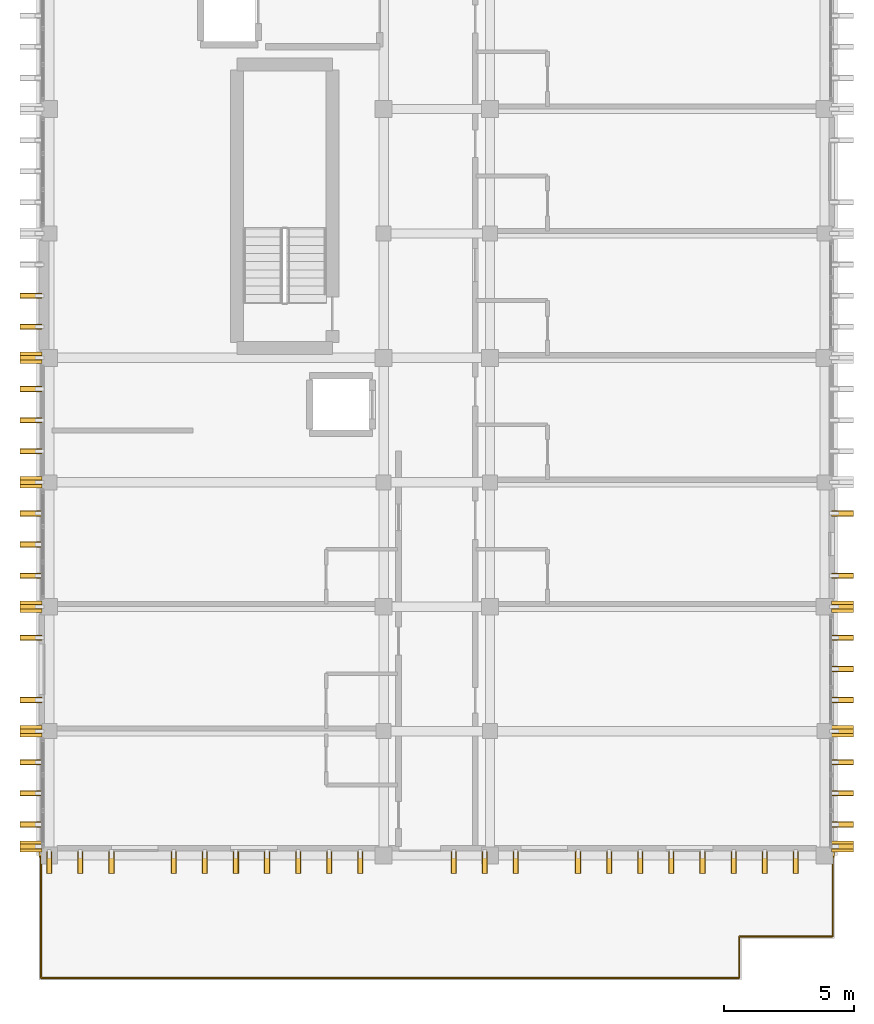
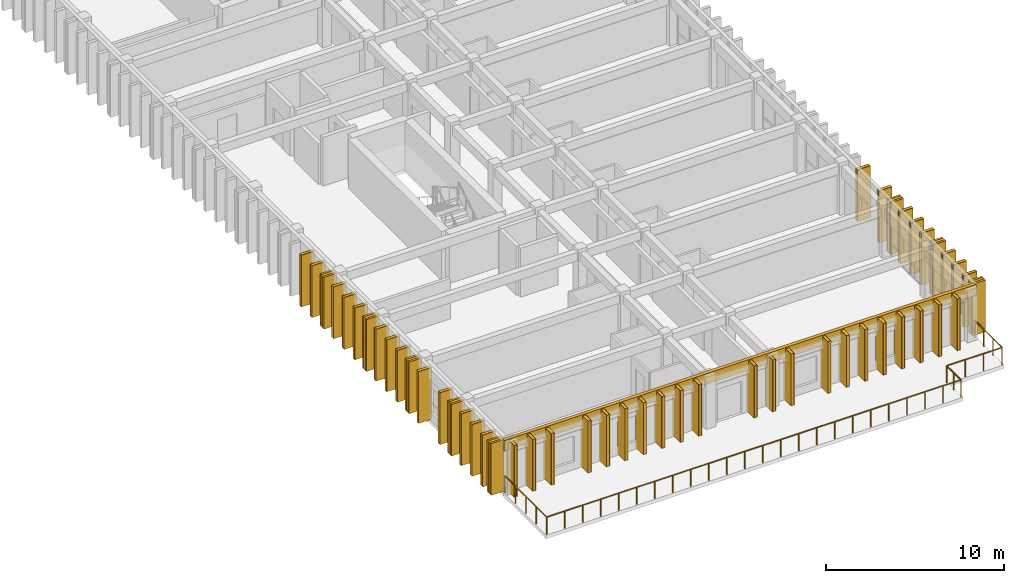
# One storey, part 45 of 49: 51 coverings, 50 shading devices, 1 railing.
"""IFC4 building model written with IfcOpenShell, lengths in metres."""

from ifc_helpers import new_model, si_unit, direction, frame, origin, origin_2d, place, context, subcontext, project, spatial, rectangle, circle, extrude, material, layer, layer_set, type_object, element, save


model = new_model("IFC4")

# Units and contexts
model_context = context("Model", 3, precision=1e-05, world=origin(), true_north=direction((0.0, 1.0)))
body_context = subcontext(model_context, "Body", "Model", "MODEL_VIEW")
ifc_project = project(units=[si_unit("LENGTHUNIT", "METRE"), si_unit("AREAUNIT", "SQUARE_METRE"), si_unit("VOLUMEUNIT", "CUBIC_METRE"), si_unit("PLANEANGLEUNIT", "RADIAN"), si_unit("MASSUNIT", "GRAM", prefix="KILO")], contexts=[model_context])

# Site, building, storey
site_placement = place(None, origin())
site = spatial("IfcSite", under=ifc_project, at=site_placement, CompositionType="ELEMENT")
building_placement = place(site_placement, origin())
building = spatial("IfcBuilding", under=site, at=building_placement, Name="Nakhvara Creek Congress Hotel", CompositionType="ELEMENT")
storey_placement = place(building_placement, frame((0.0, 0.0, 39.0)))
storey = spatial("IfcBuildingStorey", under=building, at=storey_placement, Name="L09", CompositionType="ELEMENT", Elevation=39.0)

# Coverings
ifc_material_1 = material(Name="Honed pale Omani limestone architectural cladding", Category="masonry")
ifc_layer_1 = layer(ifc_material_1, 0.219970703125)
ifc_layer_set_1 = layer_set([ifc_layer_1], Name="Honed pale Omani limestone architectural cladding")
covering_type_1 = type_object("IfcCoveringType", Name="COV-FIN-850", PredefinedType="CLADDING", material=ifc_layer_set_1)
for number, where, z_axis, x_axis, name in (
    (1, (180.054931640625, 57.949951171875, 0.0), (0.0, 0.0, 1.0), (0.0, 1.0, 0.0), "Pale Limestone Fin Cladding CF01-2137"),
    (2, (148.7451171875, 57.949951171875, 0.0), (0.0, 0.0, 1.0), (0.0, 1.0, 0.0), "Pale Limestone Fin Cladding CF01-2138"),
):
    element("IfcCovering", number, at=place(storey_placement, frame(where, z_axis=z_axis, x_axis=x_axis)), inside=storey, type_object=covering_type_1, Name=name, PredefinedType="CLADDING", context=body_context, shape_type="SweptSolid", body=[
        extrude(rectangle(XDim=0.43994140625, YDim=0.85009765625, at=origin_2d()), origin(), (0.0, 0.0, 1.0), 3.56005859375),
    ])
for number, where, z_axis, x_axis, name in (
    (3, (180.054931640625, 58.800048828125, 0.0), (0.0, 0.0, 1.0), (0.0, 1.0, 0.0), "Pale Limestone Fin Cladding CF01-2139"),
    (4, (148.7451171875, 58.800048828125, 0.0), (0.0, 0.0, 1.0), (0.0, 1.0, 0.0), "Pale Limestone Fin Cladding CF01-2140"),
    (5, (180.054931640625, 60.0, 0.0), (0.0, 0.0, 1.0), (0.0, 1.0, 0.0), "Pale Limestone Fin Cladding CF01-2141"),
    (6, (148.7451171875, 60.0, 0.0), (0.0, 0.0, 1.0), (0.0, 1.0, 0.0), "Pale Limestone Fin Cladding CF01-2142"),
    (7, (180.054931640625, 61.199951171875, 0.0), (0.0, 0.0, 1.0), (0.0, 1.0, 0.0), "Pale Limestone Fin Cladding CF01-2143"),
    (8, (148.7451171875, 61.199951171875, 0.0), (0.0, 0.0, 1.0), (0.0, 1.0, 0.0), "Pale Limestone Fin Cladding CF01-2144"),
):
    element("IfcCovering", number, at=place(storey_placement, frame(where, z_axis=z_axis, x_axis=x_axis)), inside=storey, type_object=covering_type_1, Name=name, PredefinedType="CLADDING", context=body_context, shape_type="SweptSolid", body=[
        extrude(rectangle(XDim=0.219970703125, YDim=0.85009765625, at=origin_2d()), origin(), (0.0, 0.0, 1.0), 3.56005859375),
    ])
for number, where, z_axis, x_axis, name in (
    (9, (180.054931640625, 62.39990234375, 0.0), (0.0, 0.0, 1.0), (0.0, 1.0, 0.0), "Pale Limestone Fin Cladding CF01-2145"),
    (10, (148.7451171875, 62.39990234375, 0.0), (0.0, 0.0, 1.0), (0.0, 1.0, 0.0), "Pale Limestone Fin Cladding CF01-2146"),
):
    element("IfcCovering", number, at=place(storey_placement, frame(where, z_axis=z_axis, x_axis=x_axis)), inside=storey, type_object=covering_type_1, Name=name, PredefinedType="CLADDING", context=body_context, shape_type="SweptSolid", body=[
        extrude(rectangle(XDim=0.43994140625, YDim=0.85009765625, at=origin_2d()), origin(), (0.0, 0.0, 1.0), 3.56005859375),
    ])
for number, where, z_axis, x_axis, name in (
    (11, (180.054931640625, 63.60009765625, 0.0), (0.0, 0.0, 1.0), (0.0, 1.0, 0.0), "Pale Limestone Fin Cladding CF01-2147"),
    (12, (148.7451171875, 63.60009765625, 0.0), (0.0, 0.0, 1.0), (0.0, 1.0, 0.0), "Pale Limestone Fin Cladding CF01-2148"),
    (13, (180.054931640625, 64.800048828125, 0.0), (0.0, 0.0, 1.0), (0.0, 1.0, 0.0), "Pale Limestone Fin Cladding CF01-2149"),
    (14, (180.054931640625, 66.0, 0.0), (0.0, 0.0, 1.0), (0.0, 1.0, 0.0), "Pale Limestone Fin Cladding CF01-2150"),
    (15, (148.7451171875, 66.0, 0.0), (0.0, 0.0, 1.0), (0.0, 1.0, 0.0), "Pale Limestone Fin Cladding CF01-2151"),
):
    element("IfcCovering", number, at=place(storey_placement, frame(where, z_axis=z_axis, x_axis=x_axis)), inside=storey, type_object=covering_type_1, Name=name, PredefinedType="CLADDING", context=body_context, shape_type="SweptSolid", body=[
        extrude(rectangle(XDim=0.219970703125, YDim=0.85009765625, at=origin_2d()), origin(), (0.0, 0.0, 1.0), 3.56005859375),
    ])
for number, where, z_axis, x_axis, name in (
    (16, (180.054931640625, 67.199951171875, 0.0), (0.0, 0.0, 1.0), (0.0, 1.0, 0.0), "Pale Limestone Fin Cladding CF01-2152"),
    (17, (148.7451171875, 67.199951171875, 0.0), (0.0, 0.0, 1.0), (0.0, 1.0, 0.0), "Pale Limestone Fin Cladding CF01-2153"),
):
    element("IfcCovering", number, at=place(storey_placement, frame(where, z_axis=z_axis, x_axis=x_axis)), inside=storey, type_object=covering_type_1, Name=name, PredefinedType="CLADDING", context=body_context, shape_type="SweptSolid", body=[
        extrude(rectangle(XDim=0.43994140625, YDim=0.85009765625, at=origin_2d()), origin(), (0.0, 0.0, 1.0), 3.56005859375),
    ])
for number, where, z_axis, x_axis, name in (
    (18, (180.054931640625, 68.39990234375, 0.0), (0.0, 0.0, 1.0), (0.0, 1.0, 0.0), "Pale Limestone Fin Cladding CF01-2154"),
    (19, (148.7451171875, 68.39990234375, 0.0), (0.0, 0.0, 1.0), (0.0, 1.0, 0.0), "Pale Limestone Fin Cladding CF01-2155"),
    (20, (148.7451171875, 69.60009765625, 0.0), (0.0, 0.0, 1.0), (0.0, 1.0, 0.0), "Pale Limestone Fin Cladding CF01-2156"),
    (21, (180.054931640625, 70.800048828125, 0.0), (0.0, 0.0, 1.0), (0.0, 1.0, 0.0), "Pale Limestone Fin Cladding CF01-2157"),
    (22, (148.7451171875, 70.800048828125, 0.0), (0.0, 0.0, 1.0), (0.0, 1.0, 0.0), "Pale Limestone Fin Cladding CF01-2158"),
):
    element("IfcCovering", number, at=place(storey_placement, frame(where, z_axis=z_axis, x_axis=x_axis)), inside=storey, type_object=covering_type_1, Name=name, PredefinedType="CLADDING", context=body_context, shape_type="SweptSolid", body=[
        extrude(rectangle(XDim=0.219970703125, YDim=0.85009765625, at=origin_2d()), origin(), (0.0, 0.0, 1.0), 3.56005859375),
    ])
covering_1_placement = place(storey_placement, frame((148.7451171875, 72.0, 0.0), z_axis=(0.0, 0.0, 1.0), x_axis=(0.0, 1.0, 0.0)))
element("IfcCovering", 23, at=covering_1_placement, inside=storey, type_object=covering_type_1, Name="Pale Limestone Fin Cladding CF01-2160", PredefinedType="CLADDING", context=body_context, shape_type="SweptSolid", body=[
    extrude(rectangle(XDim=0.43994140625, YDim=0.85009765625, at=origin_2d()), origin(), (0.0, 0.0, 1.0), 3.56005859375),
])
for number, where, z_axis, x_axis, name in (
    (24, (148.7451171875, 73.199951171875, 0.0), (0.0, 0.0, 1.0), (0.0, 1.0, 0.0), "Pale Limestone Fin Cladding CF01-2162"),
    (25, (148.7451171875, 74.39990234375, 0.0), (0.0, 0.0, 1.0), (0.0, 1.0, 0.0), "Pale Limestone Fin Cladding CF01-2164"),
    (26, (148.7451171875, 75.60009765625, 0.0), (0.0, 0.0, 1.0), (0.0, 1.0, 0.0), "Pale Limestone Fin Cladding CF01-2166"),
):
    element("IfcCovering", number, at=place(storey_placement, frame(where, z_axis=z_axis, x_axis=x_axis)), inside=storey, type_object=covering_type_1, Name=name, PredefinedType="CLADDING", context=body_context, shape_type="SweptSolid", body=[
        extrude(rectangle(XDim=0.219970703125, YDim=0.85009765625, at=origin_2d()), origin(), (0.0, 0.0, 1.0), 3.56005859375),
    ])
covering_2_placement = place(storey_placement, frame((148.7451171875, 76.800048828125, 0.0), z_axis=(0.0, 0.0, 1.0), x_axis=(0.0, 1.0, 0.0)))
element("IfcCovering", 27, at=covering_2_placement, inside=storey, type_object=covering_type_1, Name="Pale Limestone Fin Cladding CF01-2168", PredefinedType="CLADDING", context=body_context, shape_type="SweptSolid", body=[
    extrude(rectangle(XDim=0.43994140625, YDim=0.85009765625, at=origin_2d()), origin(), (0.0, 0.0, 1.0), 3.56005859375),
])
for number, where, z_axis, x_axis, name in (
    (28, (148.7451171875, 78.0, 0.0), (0.0, 0.0, 1.0), (0.0, 1.0, 0.0), "Pale Limestone Fin Cladding CF01-2170"),
    (29, (148.7451171875, 79.199951171875, 0.0), (0.0, 0.0, 1.0), (0.0, 1.0, 0.0), "Pale Limestone Fin Cladding CF01-2172"),
    (30, (149.449951171875, 57.3349609375, 0.0), (0.0, 0.0, 1.0), (1.0, 0.0, 0.0), "Pale Limestone Fin Cladding CF01-2249"),
    (31, (150.64990234375, 57.3349609375, 0.0), (0.0, 0.0, 1.0), (1.0, 0.0, 0.0), "Pale Limestone Fin Cladding CF01-2251"),
    (32, (151.85009765625, 57.3349609375, 0.0), (0.0, 0.0, 1.0), (1.0, 0.0, 0.0), "Pale Limestone Fin Cladding CF01-2253"),
    (33, (154.25, 57.3349609375, 0.0), (0.0, 0.0, 1.0), (1.0, 0.0, 0.0), "Pale Limestone Fin Cladding CF01-2255"),
    (34, (155.449951171875, 57.3349609375, 0.0), (0.0, 0.0, 1.0), (1.0, 0.0, 0.0), "Pale Limestone Fin Cladding CF01-2257"),
    (35, (156.64990234375, 57.3349609375, 0.0), (0.0, 0.0, 1.0), (1.0, 0.0, 0.0), "Pale Limestone Fin Cladding CF01-2259"),
    (36, (157.85009765625, 57.3349609375, 0.0), (0.0, 0.0, 1.0), (1.0, 0.0, 0.0), "Pale Limestone Fin Cladding CF01-2261"),
    (37, (159.050048828125, 57.3349609375, 0.0), (0.0, 0.0, 1.0), (1.0, 0.0, 0.0), "Pale Limestone Fin Cladding CF01-2263"),
    (38, (160.25, 57.3349609375, 0.0), (0.0, 0.0, 1.0), (1.0, 0.0, 0.0), "Pale Limestone Fin Cladding CF01-2265"),
    (39, (161.449951171875, 57.3349609375, 0.0), (0.0, 0.0, 1.0), (1.0, 0.0, 0.0), "Pale Limestone Fin Cladding CF01-2267"),
    (40, (165.050048828125, 57.3349609375, 0.0), (0.0, 0.0, 1.0), (1.0, 0.0, 0.0), "Pale Limestone Fin Cladding CF01-2271"),
    (41, (166.25, 57.3349609375, 0.0), (0.0, 0.0, 1.0), (1.0, 0.0, 0.0), "Pale Limestone Fin Cladding CF01-2273"),
    (42, (167.449951171875, 57.3349609375, 0.0), (0.0, 0.0, 1.0), (1.0, 0.0, 0.0), "Pale Limestone Fin Cladding CF01-2275"),
    (43, (169.85009765625, 57.3349609375, 0.0), (0.0, 0.0, 1.0), (1.0, 0.0, 0.0), "Pale Limestone Fin Cladding CF01-2278"),
    (44, (171.050048828125, 57.3349609375, 0.0), (0.0, 0.0, 1.0), (1.0, 0.0, 0.0), "Pale Limestone Fin Cladding CF01-2280"),
    (45, (172.25, 57.3349609375, 0.0), (0.0, 0.0, 1.0), (1.0, 0.0, 0.0), "Pale Limestone Fin Cladding CF01-2282"),
    (46, (173.449951171875, 57.3349609375, 0.0), (0.0, 0.0, 1.0), (1.0, 0.0, 0.0), "Pale Limestone Fin Cladding CF01-2284"),
    (47, (174.64990234375, 57.3349609375, 0.0), (0.0, 0.0, 1.0), (1.0, 0.0, 0.0), "Pale Limestone Fin Cladding CF01-2286"),
    (48, (175.85009765625, 57.3349609375, 0.0), (0.0, 0.0, 1.0), (1.0, 0.0, 0.0), "Pale Limestone Fin Cladding CF01-2287"),
    (49, (177.050048828125, 57.3349609375, 0.0), (0.0, 0.0, 1.0), (1.0, 0.0, 0.0), "Pale Limestone Fin Cladding CF01-2289"),
    (50, (178.25, 57.3349609375, 0.0), (0.0, 0.0, 1.0), (1.0, 0.0, 0.0), "Pale Limestone Fin Cladding CF01-2291"),
):
    element("IfcCovering", number, at=place(storey_placement, frame(where, z_axis=z_axis, x_axis=x_axis)), inside=storey, type_object=covering_type_1, Name=name, PredefinedType="CLADDING", context=body_context, shape_type="SweptSolid", body=[
        extrude(rectangle(XDim=0.219970703125, YDim=0.85009765625, at=origin_2d()), origin(), (0.0, 0.0, 1.0), 3.56005859375),
    ])
ifc_layer_2 = layer(ifc_material_1, 0.179931640625)
ifc_layer_set_2 = layer_set([ifc_layer_2], Name="Honed pale Omani limestone architectural cladding")
covering_type_2 = type_object("IfcCoveringType", Name="COV-SPN-180", PredefinedType="CLADDING", material=ifc_layer_set_2)
covering_3_placement = place(storey_placement, frame((164.39990234375, 57.6298828125, 2.909912109375), z_axis=(0.0, 0.0, 1.0), x_axis=(1.0, 0.0, 0.0)))
element("IfcCovering", 51, at=covering_3_placement, inside=storey, type_object=covering_type_2, Name="Pale Limestone Spandrel Band CF02-0080", PredefinedType="CLADDING", context=body_context, shape_type="SweptSolid", body=[
    extrude(rectangle(XDim=30.699951171875, YDim=0.219970703125, at=origin_2d()), origin(), (0.0, 0.0, 1.0), 0.72998046875),
])

# Railing
ifc_material_2 = material(Name="Bronze-anodised aluminium and laminated safety glass balustrade", Category="aluminium")
railing_type = type_object("IfcRailingType", Name="RL-BALUS-1200", PredefinedType="BALUSTRADE", material=ifc_material_2)
railing_placement = place(storey_placement, frame((149.1298828125, 57.56005859375, 0.0)))
element("IfcRailing", 52, at=railing_placement, inside=storey, type_object=railing_type, Name="Terrace Balustrade GR02-L09-007", PredefinedType="BALUSTRADE", context=body_context, shape_type="SweptSolid", body=[
    extrude(circle(Radius=0.02392578125, at=origin_2d()), frame((0.0, -0.0146484375, 1.17578125), z_axis=(0.0, -1.0, 0.0), x_axis=(1.0, 0.0, 0.0)), (0.0, 0.0, 1.0), 4.65087890625),
    extrude(circle(Radius=0.02392578125, at=origin_2d()), frame((0.0146484375, -4.68017578125, 1.17578125), z_axis=(1.0, 0.0, 0.0), x_axis=(0.0, 1.0, 0.0)), (0.0, 0.0, 1.0), 26.910888671875),
    extrude(circle(Radius=0.02392578125, at=origin_2d()), frame((26.940185546875, -4.66552734375, 1.17578125), z_axis=(0.0, 1.0, 0.0), x_axis=(-1.0, 0.0, 0.0)), (0.0, 0.0, 1.0), 1.57080078125),
    extrude(circle(Radius=0.02392578125, at=origin_2d()), frame((26.954833984375, -3.080078125, 1.17578125), z_axis=(1.0, 0.0, 0.0), x_axis=(0.0, 1.0, 0.0)), (0.0, 0.0, 1.0), 3.570556640625),
    extrude(circle(Radius=0.02392578125, at=origin_2d()), frame((30.5400390625, -3.0654296875, 1.17578125), z_axis=(0.0, 1.0, 0.0), x_axis=(-1.0, 0.0, 0.0)), (0.0, 0.0, 1.0), 3.05078125),
    extrude(circle(Radius=0.02099609375, at=origin_2d()), origin(), (0.0, 0.0, 1.0), 1.1806640625),
    extrude(circle(Radius=0.02099609375, at=origin_2d()), frame((0.0, -1.169921875, 0.0)), (0.0, 0.0, 1.0), 1.1806640625),
    extrude(circle(Radius=0.02099609375, at=origin_2d()), frame((0.0, -2.340087890625, 0.0)), (0.0, 0.0, 1.0), 1.1806640625),
    extrude(circle(Radius=0.02099609375, at=origin_2d()), frame((0.0, -3.51025390625, 0.0)), (0.0, 0.0, 1.0), 1.1806640625),
    extrude(circle(Radius=0.02099609375, at=origin_2d()), frame((0.0, -4.68017578125, 0.0)), (0.0, 0.0, 1.0), 1.1806640625),
    extrude(circle(Radius=0.02099609375, at=origin_2d()), frame((1.17138671875, -4.68017578125, 0.0)), (0.0, 0.0, 1.0), 1.1806640625),
    extrude(circle(Radius=0.02099609375, at=origin_2d()), frame((2.342529296875, -4.68017578125, 0.0)), (0.0, 0.0, 1.0), 1.1806640625),
    extrude(circle(Radius=0.02099609375, at=origin_2d()), frame((3.513916015625, -4.68017578125, 0.0)), (0.0, 0.0, 1.0), 1.1806640625),
    extrude(circle(Radius=0.02099609375, at=origin_2d()), frame((4.685302734375, -4.68017578125, 0.0)), (0.0, 0.0, 1.0), 1.1806640625),
    extrude(circle(Radius=0.02099609375, at=origin_2d()), frame((5.8564453125, -4.68017578125, 0.0)), (0.0, 0.0, 1.0), 1.1806640625),
    extrude(circle(Radius=0.02099609375, at=origin_2d()), frame((7.02783203125, -4.68017578125, 0.0)), (0.0, 0.0, 1.0), 1.1806640625),
    extrude(circle(Radius=0.02099609375, at=origin_2d()), frame((8.19921875, -4.68017578125, 0.0)), (0.0, 0.0, 1.0), 1.1806640625),
    extrude(circle(Radius=0.02099609375, at=origin_2d()), frame((9.37060546875, -4.68017578125, 0.0)), (0.0, 0.0, 1.0), 1.1806640625),
    extrude(circle(Radius=0.02099609375, at=origin_2d()), frame((10.541748046875, -4.68017578125, 0.0)), (0.0, 0.0, 1.0), 1.1806640625),
    extrude(circle(Radius=0.02099609375, at=origin_2d()), frame((11.713134765625, -4.68017578125, 0.0)), (0.0, 0.0, 1.0), 1.1806640625),
    extrude(circle(Radius=0.02099609375, at=origin_2d()), frame((12.884521484375, -4.68017578125, 0.0)), (0.0, 0.0, 1.0), 1.1806640625),
    extrude(circle(Radius=0.02099609375, at=origin_2d()), frame((14.0556640625, -4.68017578125, 0.0)), (0.0, 0.0, 1.0), 1.1806640625),
    extrude(circle(Radius=0.02099609375, at=origin_2d()), frame((15.22705078125, -4.68017578125, 0.0)), (0.0, 0.0, 1.0), 1.1806640625),
    extrude(circle(Radius=0.02099609375, at=origin_2d()), frame((16.3984375, -4.68017578125, 0.0)), (0.0, 0.0, 1.0), 1.1806640625),
    extrude(circle(Radius=0.02099609375, at=origin_2d()), frame((17.569580078125, -4.68017578125, 0.0)), (0.0, 0.0, 1.0), 1.1806640625),
    extrude(circle(Radius=0.02099609375, at=origin_2d()), frame((18.740966796875, -4.68017578125, 0.0)), (0.0, 0.0, 1.0), 1.1806640625),
    extrude(circle(Radius=0.02099609375, at=origin_2d()), frame((19.912353515625, -4.68017578125, 0.0)), (0.0, 0.0, 1.0), 1.1806640625),
    extrude(circle(Radius=0.02099609375, at=origin_2d()), frame((21.083740234375, -4.68017578125, 0.0)), (0.0, 0.0, 1.0), 1.1806640625),
    extrude(circle(Radius=0.02099609375, at=origin_2d()), frame((22.2548828125, -4.68017578125, 0.0)), (0.0, 0.0, 1.0), 1.1806640625),
    extrude(circle(Radius=0.02099609375, at=origin_2d()), frame((23.42626953125, -4.68017578125, 0.0)), (0.0, 0.0, 1.0), 1.1806640625),
    extrude(circle(Radius=0.02099609375, at=origin_2d()), frame((24.59765625, -4.68017578125, 0.0)), (0.0, 0.0, 1.0), 1.1806640625),
    extrude(circle(Radius=0.02099609375, at=origin_2d()), frame((25.768798828125, -4.68017578125, 0.0)), (0.0, 0.0, 1.0), 1.1806640625),
    extrude(circle(Radius=0.02099609375, at=origin_2d()), frame((26.940185546875, -4.68017578125, 0.0)), (0.0, 0.0, 1.0), 1.1806640625),
    extrude(circle(Radius=0.02099609375, at=origin_2d()), frame((26.940185546875, -3.880126953125, 0.0)), (0.0, 0.0, 1.0), 1.1806640625),
    extrude(circle(Radius=0.02099609375, at=origin_2d()), frame((26.940185546875, -3.080078125, 0.0)), (0.0, 0.0, 1.0), 1.1806640625),
    extrude(circle(Radius=0.02099609375, at=origin_2d()), frame((28.14013671875, -3.080078125, 0.0)), (0.0, 0.0, 1.0), 1.1806640625),
    extrude(circle(Radius=0.02099609375, at=origin_2d()), frame((29.340087890625, -3.080078125, 0.0)), (0.0, 0.0, 1.0), 1.1806640625),
    extrude(circle(Radius=0.02099609375, at=origin_2d()), frame((30.5400390625, -3.080078125, 0.0)), (0.0, 0.0, 1.0), 1.1806640625),
    extrude(circle(Radius=0.02099609375, at=origin_2d()), frame((30.5400390625, -2.053466796875, 0.0)), (0.0, 0.0, 1.0), 1.1806640625),
    extrude(circle(Radius=0.02099609375, at=origin_2d()), frame((30.5400390625, -1.026611328125, 0.0)), (0.0, 0.0, 1.0), 1.1806640625),
    extrude(circle(Radius=0.02099609375, at=origin_2d()), frame((30.5400390625, 0.0, 0.0)), (0.0, 0.0, 1.0), 1.1806640625),
])

# Shading devices
ifc_material_3 = material(Name="Honed pale Omani limestone cladding on stainless steel spine", Category="masonry")
shading_device_type = type_object("IfcShadingDeviceType", Name="SHD-FIN-850X3600", PredefinedType="USERDEFINED", material=ifc_material_3)
for number, where, z_axis, x_axis, name in (
    (53, (180.054931640625, 57.949951171875, 0.0), (0.0, 0.0, 1.0), (0.0, 1.0, 0.0), "Limestone Solar Fin FN01-2002"),
    (54, (148.7451171875, 57.949951171875, 0.0), (0.0, 0.0, 1.0), (0.0, 1.0, 0.0), "Limestone Solar Fin FN01-2003"),
    (55, (180.054931640625, 58.800048828125, 0.0), (0.0, 0.0, 1.0), (0.0, 1.0, 0.0), "Limestone Solar Fin FN01-2004"),
    (56, (148.7451171875, 58.800048828125, 0.0), (0.0, 0.0, 1.0), (0.0, 1.0, 0.0), "Limestone Solar Fin FN01-2005"),
    (57, (180.054931640625, 60.0, 0.0), (0.0, 0.0, 1.0), (0.0, 1.0, 0.0), "Limestone Solar Fin FN01-2006"),
    (58, (148.7451171875, 60.0, 0.0), (0.0, 0.0, 1.0), (0.0, 1.0, 0.0), "Limestone Solar Fin FN01-2007"),
    (59, (180.054931640625, 61.199951171875, 0.0), (0.0, 0.0, 1.0), (0.0, 1.0, 0.0), "Limestone Solar Fin FN01-2008"),
    (60, (148.7451171875, 61.199951171875, 0.0), (0.0, 0.0, 1.0), (0.0, 1.0, 0.0), "Limestone Solar Fin FN01-2009"),
    (61, (180.054931640625, 62.39990234375, 0.0), (0.0, 0.0, 1.0), (0.0, 1.0, 0.0), "Limestone Solar Fin FN01-2010"),
    (62, (148.7451171875, 62.39990234375, 0.0), (0.0, 0.0, 1.0), (0.0, 1.0, 0.0), "Limestone Solar Fin FN01-2011"),
    (63, (180.054931640625, 63.60009765625, 0.0), (0.0, 0.0, 1.0), (0.0, 1.0, 0.0), "Limestone Solar Fin FN01-2012"),
    (64, (148.7451171875, 63.60009765625, 0.0), (0.0, 0.0, 1.0), (0.0, 1.0, 0.0), "Limestone Solar Fin FN01-2013"),
    (65, (180.054931640625, 64.800048828125, 0.0), (0.0, 0.0, 1.0), (0.0, 1.0, 0.0), "Limestone Solar Fin FN01-2014"),
    (66, (180.054931640625, 66.0, 0.0), (0.0, 0.0, 1.0), (0.0, 1.0, 0.0), "Limestone Solar Fin FN01-2015"),
    (67, (148.7451171875, 66.0, 0.0), (0.0, 0.0, 1.0), (0.0, 1.0, 0.0), "Limestone Solar Fin FN01-2016"),
    (68, (180.054931640625, 67.199951171875, 0.0), (0.0, 0.0, 1.0), (0.0, 1.0, 0.0), "Limestone Solar Fin FN01-2017"),
    (69, (148.7451171875, 67.199951171875, 0.0), (0.0, 0.0, 1.0), (0.0, 1.0, 0.0), "Limestone Solar Fin FN01-2018"),
    (70, (180.054931640625, 68.39990234375, 0.0), (0.0, 0.0, 1.0), (0.0, 1.0, 0.0), "Limestone Solar Fin FN01-2019"),
    (71, (148.7451171875, 68.39990234375, 0.0), (0.0, 0.0, 1.0), (0.0, 1.0, 0.0), "Limestone Solar Fin FN01-2020"),
    (72, (148.7451171875, 69.60009765625, 0.0), (0.0, 0.0, 1.0), (0.0, 1.0, 0.0), "Limestone Solar Fin FN01-2021"),
    (73, (180.054931640625, 70.800048828125, 0.0), (0.0, 0.0, 1.0), (0.0, 1.0, 0.0), "Limestone Solar Fin FN01-2022"),
    (74, (148.7451171875, 70.800048828125, 0.0), (0.0, 0.0, 1.0), (0.0, 1.0, 0.0), "Limestone Solar Fin FN01-2023"),
    (75, (148.7451171875, 72.0, 0.0), (0.0, 0.0, 1.0), (0.0, 1.0, 0.0), "Limestone Solar Fin FN01-2025"),
    (76, (148.7451171875, 73.199951171875, 0.0), (0.0, 0.0, 1.0), (0.0, 1.0, 0.0), "Limestone Solar Fin FN01-2027"),
    (77, (148.7451171875, 74.39990234375, 0.0), (0.0, 0.0, 1.0), (0.0, 1.0, 0.0), "Limestone Solar Fin FN01-2029"),
    (78, (148.7451171875, 75.60009765625, 0.0), (0.0, 0.0, 1.0), (0.0, 1.0, 0.0), "Limestone Solar Fin FN01-2031"),
    (79, (148.7451171875, 76.800048828125, 0.0), (0.0, 0.0, 1.0), (0.0, 1.0, 0.0), "Limestone Solar Fin FN01-2033"),
    (80, (148.7451171875, 78.0, 0.0), (0.0, 0.0, 1.0), (0.0, 1.0, 0.0), "Limestone Solar Fin FN01-2035"),
    (81, (148.7451171875, 79.199951171875, 0.0), (0.0, 0.0, 1.0), (0.0, 1.0, 0.0), "Limestone Solar Fin FN01-2037"),
    (82, (149.449951171875, 57.3349609375, 0.0), (0.0, 0.0, 1.0), (1.0, 0.0, 0.0), "Limestone Solar Fin FN01-2114"),
    (83, (150.64990234375, 57.3349609375, 0.0), (0.0, 0.0, 1.0), (1.0, 0.0, 0.0), "Limestone Solar Fin FN01-2116"),
    (84, (151.85009765625, 57.3349609375, 0.0), (0.0, 0.0, 1.0), (1.0, 0.0, 0.0), "Limestone Solar Fin FN01-2118"),
    (85, (154.25, 57.3349609375, 0.0), (0.0, 0.0, 1.0), (1.0, 0.0, 0.0), "Limestone Solar Fin FN01-2120"),
    (86, (155.449951171875, 57.3349609375, 0.0), (0.0, 0.0, 1.0), (1.0, 0.0, 0.0), "Limestone Solar Fin FN01-2122"),
    (87, (156.64990234375, 57.3349609375, 0.0), (0.0, 0.0, 1.0), (1.0, 0.0, 0.0), "Limestone Solar Fin FN01-2124"),
    (88, (157.85009765625, 57.3349609375, 0.0), (0.0, 0.0, 1.0), (1.0, 0.0, 0.0), "Limestone Solar Fin FN01-2126"),
    (89, (159.050048828125, 57.3349609375, 0.0), (0.0, 0.0, 1.0), (1.0, 0.0, 0.0), "Limestone Solar Fin FN01-2128"),
    (90, (160.25, 57.3349609375, 0.0), (0.0, 0.0, 1.0), (1.0, 0.0, 0.0), "Limestone Solar Fin FN01-2130"),
    (91, (161.449951171875, 57.3349609375, 0.0), (0.0, 0.0, 1.0), (1.0, 0.0, 0.0), "Limestone Solar Fin FN01-2132"),
    (92, (165.050048828125, 57.3349609375, 0.0), (0.0, 0.0, 1.0), (1.0, 0.0, 0.0), "Limestone Solar Fin FN01-2136"),
    (93, (166.25, 57.3349609375, 0.0), (0.0, 0.0, 1.0), (1.0, 0.0, 0.0), "Limestone Solar Fin FN01-2138"),
    (94, (167.449951171875, 57.3349609375, 0.0), (0.0, 0.0, 1.0), (1.0, 0.0, 0.0), "Limestone Solar Fin FN01-2140"),
    (95, (169.85009765625, 57.3349609375, 0.0), (0.0, 0.0, 1.0), (1.0, 0.0, 0.0), "Limestone Solar Fin FN01-2143"),
    (96, (171.050048828125, 57.3349609375, 0.0), (0.0, 0.0, 1.0), (1.0, 0.0, 0.0), "Limestone Solar Fin FN01-2145"),
    (97, (172.25, 57.3349609375, 0.0), (0.0, 0.0, 1.0), (1.0, 0.0, 0.0), "Limestone Solar Fin FN01-2147"),
    (98, (173.449951171875, 57.3349609375, 0.0), (0.0, 0.0, 1.0), (1.0, 0.0, 0.0), "Limestone Solar Fin FN01-2149"),
    (99, (174.64990234375, 57.3349609375, 0.0), (0.0, 0.0, 1.0), (1.0, 0.0, 0.0), "Limestone Solar Fin FN01-2151"),
    (100, (175.85009765625, 57.3349609375, 0.0), (0.0, 0.0, 1.0), (1.0, 0.0, 0.0), "Limestone Solar Fin FN01-2152"),
    (101, (177.050048828125, 57.3349609375, 0.0), (0.0, 0.0, 1.0), (1.0, 0.0, 0.0), "Limestone Solar Fin FN01-2154"),
    (102, (178.25, 57.3349609375, 0.0), (0.0, 0.0, 1.0), (1.0, 0.0, 0.0), "Limestone Solar Fin FN01-2156"),
):
    element("IfcShadingDevice", number, at=place(storey_placement, frame(where, z_axis=z_axis, x_axis=x_axis)), inside=storey, type_object=shading_device_type, Name=name, ObjectType="FIN", PredefinedType="USERDEFINED", context=body_context, shape_type="SweptSolid", body=[
        extrude(rectangle(XDim=0.179931640625, YDim=0.85009765625, at=origin_2d()), origin(), (0.0, 0.0, 1.0), 3.56005859375),
    ])

save(model, "model.ifc")
